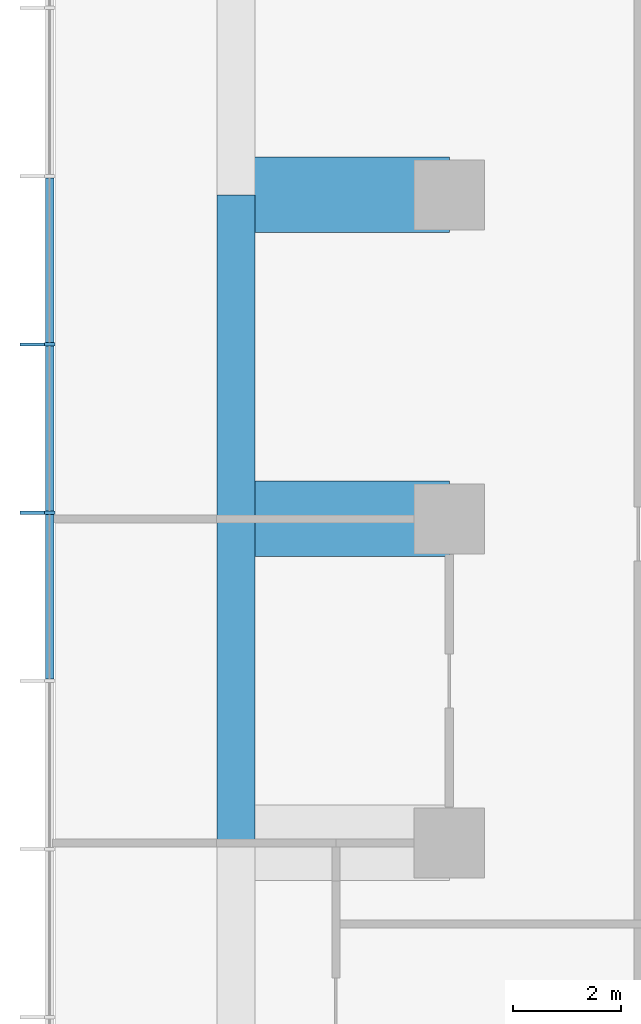
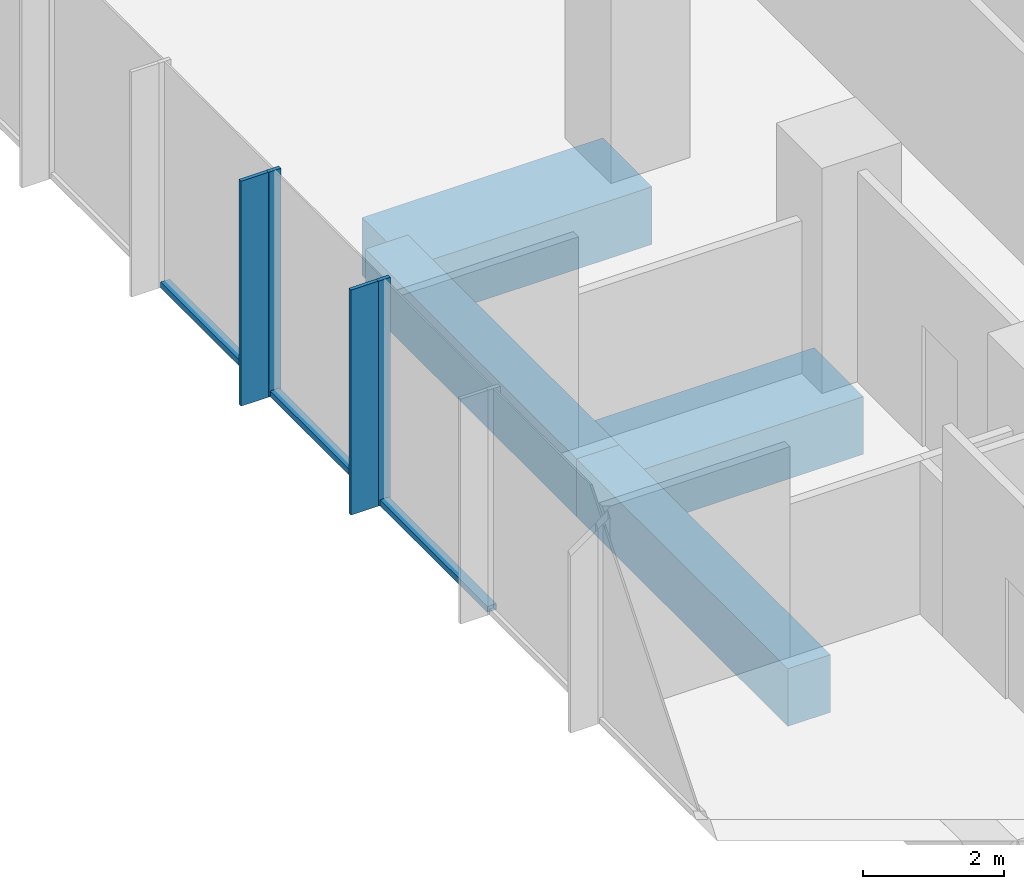
# One storey, part 3 of 11: 7 members, 4 beams, 1 element without a shape of its own.
"""IFC4 building model written with IfcOpenShell, lengths in metres."""

from ifc_helpers import new_model, si_unit, direction, frame, origin, origin_2d, place, context, subcontext, project, spatial, rectangle, extrude, material, layer, layer_set, material_profile, profile_set, type_object, element, aggregate, save


model = new_model("IFC4")

# Units and contexts
model_context = context("Model", 3, precision=1e-05, world=origin(), true_north=direction((0.0, 1.0)))
body_context = subcontext(model_context, "Body", "Model", "MODEL_VIEW")
ifc_project = project(units=[si_unit("LENGTHUNIT", "METRE"), si_unit("AREAUNIT", "SQUARE_METRE"), si_unit("VOLUMEUNIT", "CUBIC_METRE"), si_unit("PLANEANGLEUNIT", "RADIAN"), si_unit("MASSUNIT", "GRAM", prefix="KILO")], contexts=[model_context])

# Site, building, storey
site_placement = place(None, origin())
site = spatial("IfcSite", under=ifc_project, at=site_placement, CompositionType="ELEMENT")
building_placement = place(site_placement, origin())
building = spatial("IfcBuilding", under=site, at=building_placement, Name="Highveld Stack Headquarters", CompositionType="ELEMENT")
storey_placement = place(building_placement, frame((0.0, 0.0, 204.5)))
storey = spatial("IfcBuildingStorey", under=building, at=storey_placement, Name="L50", CompositionType="ELEMENT", Elevation=204.5)

# Beams
ifc_material_1 = material(Name="Concrete C60/75", Category="concrete")
ifc_material_profile_1 = material_profile(ifc_material_1, rectangle(XDim=1.39990234375, YDim=1.0, at=origin_2d()), Name="RC 1400x1000")
ifc_profile_set_1 = profile_set([ifc_material_profile_1], Name="Concrete C60/75")
beam_type_1 = type_object("IfcBeamType", Name="CANTILEVER RIB RC 1400x1000", PredefinedType="USERDEFINED", material=ifc_profile_set_1)
for number, where, z_axis, x_axis, name in (
    (1, (-12.0, 12.0, -0.75), (-1.0, 0.0, 0.0), (0.0, -1.0, 0.0), "Cantilever rib 4/G L50"),
    (2, (-12.0, 18.0, -0.75), (-1.0, 0.0, 0.0), (0.0, -1.0, 0.0), "Cantilever rib 4/H L50"),
):
    element("IfcBeam", number, at=place(storey_placement, frame(where, z_axis=z_axis, x_axis=x_axis)), inside=storey, type_object=beam_type_1, Name=name, ObjectType="CANTILEVER RIB", PredefinedType="USERDEFINED", context=body_context, shape_type="SweptSolid", body=[
        extrude(rectangle(XDim=1.39990234375, YDim=1.0, at=origin_2d()), origin(), (0.0, 0.0, 1.0), 3.949951171875),
    ])

# Curtain wall, members
ifc_material_2 = material(Name="Aluminium bronze anodised", Category="aluminium")
ifc_layer = layer(ifc_material_2, 0.199951171875)
ifc_layer_set = layer_set([ifc_layer], Name="Aluminium bronze anodised")
curtain_wall_type = type_object("IfcCurtainWallType", Name="CW1 TOWER UNITISED CURTAIN WALL", PredefinedType="NOTDEFINED", material=ifc_layer_set)
curtain_wall_placement = place(storey_placement, origin())
curtain_wall = element("IfcCurtainWall", 3, at=curtain_wall_placement, inside=storey, type_object=curtain_wall_type, Name="Curtain wall CW1 L50 W", PredefinedType="NOTDEFINED")
ifc_material_3 = material(Name="Aluminium bronze anodised", Category="aluminium")
ifc_material_profile_2 = material_profile(ifc_material_3, rectangle(XDim=0.449951171875, YDim=0.06005859375, at=origin_2d()), Name="FIN 450x60")
ifc_profile_set_2 = profile_set([ifc_material_profile_2], Name="Aluminium bronze anodised")
member_type_1 = type_object("IfcMemberType", Name="CW1 BRONZE FIN 450x60", PredefinedType="USERDEFINED", material=ifc_profile_set_2)
member_1_placement = place(storey_placement, frame((-19.72509765625, 15.23193359375, 0.0), z_axis=(0.0, 0.0, 1.0), x_axis=(1.0, 0.0, 0.0)))
member_1 = element("IfcMember", 4, at=member_1_placement, type_object=member_type_1, Name="CW1 fin L50 4", ObjectType="FIN", PredefinedType="USERDEFINED", context=body_context, shape_type="SweptSolid", body=[
    extrude(rectangle(XDim=0.449951171875, YDim=0.06005859375, at=origin_2d()), origin(), (0.0, 0.0, 1.0), 3.89990234375),
])
member_2_placement = place(storey_placement, frame((-19.72509765625, 12.115966796875, 0.0), z_axis=(0.0, 0.0, 1.0), x_axis=(1.0, 0.0, 0.0)))
member_2 = element("IfcMember", 5, at=member_2_placement, type_object=member_type_1, Name="CW1 fin L50 5", ObjectType="FIN", PredefinedType="USERDEFINED", context=body_context, shape_type="SweptSolid", body=[
    extrude(rectangle(XDim=0.449951171875, YDim=0.06005859375, at=origin_2d()), origin(), (0.0, 0.0, 1.0), 3.89990234375),
])
ifc_material_4 = material(Name="Aluminium bronze anodised", Category="aluminium")
ifc_material_profile_3 = material_profile(ifc_material_4, rectangle(XDim=0.199951171875, YDim=0.06494140625, at=origin_2d()), Name="CW1 MULLION 65x200")
ifc_profile_set_3 = profile_set([ifc_material_profile_3], Name="Aluminium bronze anodised")
member_type_2 = type_object("IfcMemberType", Name="CW1 MULLION 65x200", PredefinedType="MULLION", material=ifc_profile_set_3)
member_3_placement = place(storey_placement, frame((-19.39990234375, 15.23193359375, 0.0), z_axis=(0.0, 0.0, 1.0), x_axis=(1.0, 0.0, 0.0)))
member_3 = element("IfcMember", 6, at=member_3_placement, type_object=member_type_2, Name="CW1 mullion L50 4", PredefinedType="MULLION", context=body_context, shape_type="SweptSolid", body=[
    extrude(rectangle(XDim=0.199951171875, YDim=0.06494140625, at=origin_2d()), origin(), (0.0, 0.0, 1.0), 3.89990234375),
])
member_4_placement = place(storey_placement, frame((-19.39990234375, 12.115966796875, 0.0), z_axis=(0.0, 0.0, 1.0), x_axis=(1.0, 0.0, 0.0)))
member_4 = element("IfcMember", 7, at=member_4_placement, type_object=member_type_2, Name="CW1 mullion L50 5", PredefinedType="MULLION", context=body_context, shape_type="SweptSolid", body=[
    extrude(rectangle(XDim=0.199951171875, YDim=0.06494140625, at=origin_2d()), origin(), (0.0, 0.0, 1.0), 3.89990234375),
])
ifc_material_5 = material(Name="Aluminium bronze anodised", Category="aluminium")
ifc_material_profile_4 = material_profile(ifc_material_5, rectangle(XDim=0.14990234375, YDim=0.10009765625, at=origin_2d()), Name="CW1 TRANSOM 150x100")
ifc_profile_set_4 = profile_set([ifc_material_profile_4], Name="Aluminium bronze anodised")
member_type_3 = type_object("IfcMemberType", Name="CW1 STACK TRANSOM 150x100", PredefinedType="USERDEFINED", material=ifc_profile_set_4)
member_5_placement = place(storey_placement, frame((-19.39990234375, 18.3154296875, 0.050048828125), z_axis=(0.0, -1.0, 0.0), x_axis=(1.0, 0.0, 0.0)))
member_5 = element("IfcMember", 8, at=member_5_placement, type_object=member_type_3, Name="CW1 transom L50 3.1", ObjectType="TRANSOM", PredefinedType="USERDEFINED", context=body_context, shape_type="SweptSolid", body=[
    extrude(rectangle(XDim=0.14990234375, YDim=0.10009765625, at=origin_2d()), origin(), (0.0, 0.0, 1.0), 3.051025390625),
])
member_6_placement = place(storey_placement, frame((-19.39990234375, 15.199462890625, 0.050048828125), z_axis=(0.0, -1.0, 0.0), x_axis=(1.0, 0.0, 0.0)))
member_6 = element("IfcMember", 9, at=member_6_placement, type_object=member_type_3, Name="CW1 transom L50 4.1", ObjectType="TRANSOM", PredefinedType="USERDEFINED", context=body_context, shape_type="SweptSolid", body=[
    extrude(rectangle(XDim=0.14990234375, YDim=0.10009765625, at=origin_2d()), origin(), (0.0, 0.0, 1.0), 3.051025390625),
])
member_7_placement = place(storey_placement, frame((-19.39990234375, 12.08349609375, 0.050048828125), z_axis=(0.0, -1.0, 0.0), x_axis=(1.0, 0.0, 0.0)))
member_7 = element("IfcMember", 10, at=member_7_placement, type_object=member_type_3, Name="CW1 transom L50 5.1", ObjectType="TRANSOM", PredefinedType="USERDEFINED", context=body_context, shape_type="SweptSolid", body=[
    extrude(rectangle(XDim=0.14990234375, YDim=0.10009765625, at=origin_2d()), origin(), (0.0, 0.0, 1.0), 3.051025390625),
])
aggregate(curtain_wall, [member_3, member_1, member_4, member_2, member_5, member_6, member_7])

# Beams
ifc_material_6 = material(Name="Concrete C60/75", Category="concrete")
ifc_material_profile_5 = material_profile(ifc_material_6, rectangle(XDim=0.699951171875, YDim=1.0, at=origin_2d()), Name="RC 700x1000")
ifc_profile_set_5 = profile_set([ifc_material_profile_5], Name="Concrete C60/75")
beam_type_2 = type_object("IfcBeamType", Name="RIB TIP BEAM RC 700x1000", PredefinedType="SPANDREL", material=ifc_profile_set_5)
for number, where, z_axis, x_axis, name in (
    (11, (-15.949951171875, 6.0, -0.75), (0.0, 1.0, 0.0), (-1.0, 0.0, 0.0), "Rib tip beam 4/F to 4/G L50"),
    (12, (-15.949951171875, 12.0, -0.75), (0.0, 1.0, 0.0), (-1.0, 0.0, 0.0), "Rib tip beam 4/G to 4/H L50"),
):
    element("IfcBeam", number, at=place(storey_placement, frame(where, z_axis=z_axis, x_axis=x_axis)), inside=storey, type_object=beam_type_2, Name=name, PredefinedType="SPANDREL", context=body_context, shape_type="SweptSolid", body=[
        extrude(rectangle(XDim=0.699951171875, YDim=1.0, at=origin_2d()), origin(), (0.0, 0.0, 1.0), 6.0),
    ])

save(model, "model.ifc")
